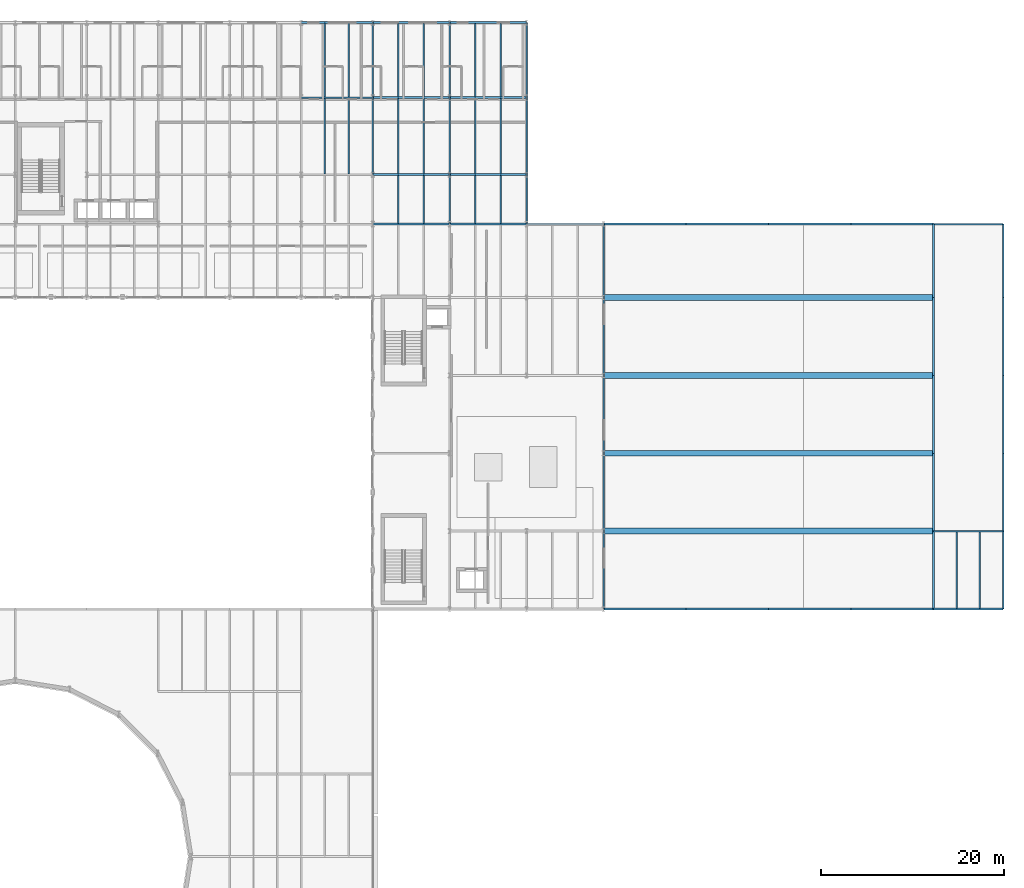
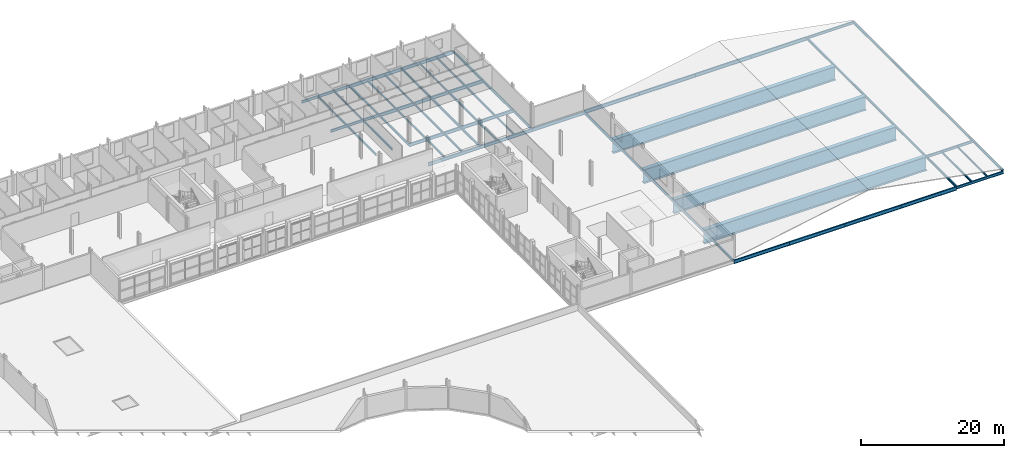
# One storey, part 28 of 58: 67 beams.
"""IFC4 building model written with IfcOpenShell, lengths in metres."""

from ifc_helpers import new_model, si_unit, direction, frame, origin, origin_2d, place, context, subcontext, project, spatial, i_section, extrude, material, material_profile, profile_set, type_object, element, save


model = new_model("IFC4")

# Units and contexts
model_context = context("Model", 3, precision=1e-05, world=origin(), true_north=direction((0.0, 1.0)))
body_context = subcontext(model_context, "Body", "Model", "MODEL_VIEW")
ifc_project = project(units=[si_unit("LENGTHUNIT", "METRE"), si_unit("AREAUNIT", "SQUARE_METRE"), si_unit("VOLUMEUNIT", "CUBIC_METRE"), si_unit("PLANEANGLEUNIT", "RADIAN"), si_unit("MASSUNIT", "GRAM", prefix="KILO")], contexts=[model_context])

# Site, building, storey
site_placement = place(None, origin())
site = spatial("IfcSite", under=ifc_project, at=site_placement, CompositionType="ELEMENT")
building_placement = place(site_placement, origin())
building = spatial("IfcBuilding", under=site, at=building_placement, Name="Sefraquen Railside Congress Hotel", CompositionType="ELEMENT")
storey_placement = place(building_placement, frame((0.0, 0.0, 16.199951171875)))
storey = spatial("IfcBuildingStorey", under=building, at=storey_placement, Name="L03", CompositionType="ELEMENT", Elevation=16.199951171875)

# Beams
ifc_material_1 = material(Name="Steel S355JR", Category="steel")
ifc_material_profile_1 = material_profile(ifc_material_1, i_section(OverallWidth=0.179931640625, OverallDepth=0.39990234375, WebThickness=0.008544921875, FlangeThickness=0.013427734375, FilletRadius=0.02099609375, at=origin_2d()), Name="IPE 400")
ifc_profile_set_1 = profile_set([ifc_material_profile_1], Name="Steel S355JR")
beam_type_1 = type_object("IfcBeamType", Name="TB-BM-400I", PredefinedType="BEAM", material=ifc_profile_set_1)
beam_1_placement = place(storey_placement, frame((103.199951171875, 101.39990234375, -0.47998046875), z_axis=(0.0, 1.0, 0.0), x_axis=(-1.0, 0.0, 0.0)))
element("IfcBeam", 1, at=beam_1_placement, inside=storey, type_object=beam_type_1, Name="Floor beam BM-L03-1229", PredefinedType="BEAM", context=body_context, shape_type="SweptSolid", body=[
    extrude(i_section(OverallWidth=0.179931640625, OverallDepth=0.39990234375, WebThickness=0.008544921875, FlangeThickness=0.013427734375, FilletRadius=0.02099609375, at=origin_2d()), origin(), (0.0, 0.0, 1.0), 8.400146484375),
])
beam_2_placement = place(storey_placement, frame((103.199951171875, 109.800048828125, -0.47998046875), z_axis=(0.0, 1.0, 0.0), x_axis=(-1.0, 0.0, 0.0)))
element("IfcBeam", 2, at=beam_2_placement, inside=storey, type_object=beam_type_1, Name="Floor beam BM-L03-1230", PredefinedType="BEAM", context=body_context, shape_type="SweptSolid", body=[
    extrude(i_section(OverallWidth=0.179931640625, OverallDepth=0.39990234375, WebThickness=0.008544921875, FlangeThickness=0.013427734375, FilletRadius=0.02099609375, at=origin_2d()), origin(), (0.0, 0.0, 1.0), 8.199951171875),
])
beam_3_placement = place(storey_placement, frame((111.60009765625, 96.0, -0.47998046875), z_axis=(0.0, 1.0, 0.0), x_axis=(-1.0, 0.0, 0.0)))
element("IfcBeam", 3, at=beam_3_placement, inside=storey, type_object=beam_type_1, Name="Floor beam BM-L03-1236", PredefinedType="BEAM", context=body_context, shape_type="SweptSolid", body=[
    extrude(i_section(OverallWidth=0.179931640625, OverallDepth=0.39990234375, WebThickness=0.008544921875, FlangeThickness=0.013427734375, FilletRadius=0.02099609375, at=origin_2d()), origin(), (0.0, 0.0, 1.0), 5.39990234375),
])
beam_4_placement = place(storey_placement, frame((111.60009765625, 101.39990234375, -0.47998046875), z_axis=(0.0, 1.0, 0.0), x_axis=(-1.0, 0.0, 0.0)))
element("IfcBeam", 4, at=beam_4_placement, inside=storey, type_object=beam_type_1, Name="Floor beam BM-L03-1237", PredefinedType="BEAM", context=body_context, shape_type="SweptSolid", body=[
    extrude(i_section(OverallWidth=0.179931640625, OverallDepth=0.39990234375, WebThickness=0.008544921875, FlangeThickness=0.013427734375, FilletRadius=0.02099609375, at=origin_2d()), origin(), (0.0, 0.0, 1.0), 8.400146484375),
])
beam_5_placement = place(storey_placement, frame((111.60009765625, 109.800048828125, -0.47998046875), z_axis=(0.0, 1.0, 0.0), x_axis=(-1.0, 0.0, 0.0)))
element("IfcBeam", 5, at=beam_5_placement, inside=storey, type_object=beam_type_1, Name="Floor beam BM-L03-1238", PredefinedType="BEAM", context=body_context, shape_type="SweptSolid", body=[
    extrude(i_section(OverallWidth=0.179931640625, OverallDepth=0.39990234375, WebThickness=0.008544921875, FlangeThickness=0.013427734375, FilletRadius=0.02099609375, at=origin_2d()), origin(), (0.0, 0.0, 1.0), 8.199951171875),
])
beam_6_placement = place(storey_placement, frame((120.0, 96.0, -0.47998046875), z_axis=(0.0, 1.0, 0.0), x_axis=(-1.0, 0.0, 0.0)))
element("IfcBeam", 6, at=beam_6_placement, inside=storey, type_object=beam_type_1, Name="Floor beam BM-L03-1242", PredefinedType="BEAM", context=body_context, shape_type="SweptSolid", body=[
    extrude(i_section(OverallWidth=0.179931640625, OverallDepth=0.39990234375, WebThickness=0.008544921875, FlangeThickness=0.013427734375, FilletRadius=0.02099609375, at=origin_2d()), origin(), (0.0, 0.0, 1.0), 5.39990234375),
])
beam_7_placement = place(storey_placement, frame((120.0, 101.39990234375, -0.47998046875), z_axis=(0.0, 1.0, 0.0), x_axis=(-1.0, 0.0, 0.0)))
element("IfcBeam", 7, at=beam_7_placement, inside=storey, type_object=beam_type_1, Name="Floor beam BM-L03-1243", PredefinedType="BEAM", context=body_context, shape_type="SweptSolid", body=[
    extrude(i_section(OverallWidth=0.179931640625, OverallDepth=0.39990234375, WebThickness=0.008544921875, FlangeThickness=0.013427734375, FilletRadius=0.02099609375, at=origin_2d()), origin(), (0.0, 0.0, 1.0), 8.400146484375),
])
beam_8_placement = place(storey_placement, frame((120.0, 109.800048828125, -0.47998046875), z_axis=(0.0, 1.0, 0.0), x_axis=(-1.0, 0.0, 0.0)))
element("IfcBeam", 8, at=beam_8_placement, inside=storey, type_object=beam_type_1, Name="Floor beam BM-L03-1244", PredefinedType="BEAM", context=body_context, shape_type="SweptSolid", body=[
    extrude(i_section(OverallWidth=0.179931640625, OverallDepth=0.39990234375, WebThickness=0.008544921875, FlangeThickness=0.013427734375, FilletRadius=0.02099609375, at=origin_2d()), origin(), (0.0, 0.0, 1.0), 8.199951171875),
])
for number, where, z_axis, x_axis, name in (
    (9, (128.39990234375, 54.0, -0.47998046875), (0.0, 1.0, 0.0), (-1.0, 0.0, 0.0), "Floor beam BM-L03-1245"),
    (10, (128.39990234375, 62.5, -0.47998046875), (0.0, 1.0, 0.0), (-1.0, 0.0, 0.0), "Floor beam BM-L03-1246"),
    (11, (128.39990234375, 71.0, -0.47998046875), (0.0, 1.0, 0.0), (-1.0, 0.0, 0.0), "Floor beam BM-L03-1247"),
    (12, (128.39990234375, 79.5, -0.47998046875), (0.0, 1.0, 0.0), (-1.0, 0.0, 0.0), "Floor beam BM-L03-1248"),
):
    element("IfcBeam", number, at=place(storey_placement, frame(where, z_axis=z_axis, x_axis=x_axis)), inside=storey, type_object=beam_type_1, Name=name, PredefinedType="BEAM", context=body_context, shape_type="SweptSolid", body=[
        extrude(i_section(OverallWidth=0.179931640625, OverallDepth=0.39990234375, WebThickness=0.008544921875, FlangeThickness=0.013427734375, FilletRadius=0.02099609375, at=origin_2d()), origin(), (0.0, 0.0, 1.0), 8.5),
    ])
beam_9_placement = place(storey_placement, frame((128.39990234375, 88.0, -0.47998046875), z_axis=(0.0, 1.0, 0.0), x_axis=(-1.0, 0.0, 0.0)))
element("IfcBeam", 13, at=beam_9_placement, inside=storey, type_object=beam_type_1, Name="Floor beam BM-L03-1249", PredefinedType="BEAM", context=body_context, shape_type="SweptSolid", body=[
    extrude(i_section(OverallWidth=0.179931640625, OverallDepth=0.39990234375, WebThickness=0.008544921875, FlangeThickness=0.013427734375, FilletRadius=0.02099609375, at=origin_2d()), origin(), (0.0, 0.0, 1.0), 8.0),
])
for number, where, z_axis, x_axis, name in (
    (14, (164.39990234375, 54.0, -0.33984375), (0.0, 1.0, 0.0), (-1.0, 0.0, 0.0), "Floor beam BM-L03-1250"),
    (15, (164.39990234375, 62.5, -0.33984375), (0.0, 1.0, 0.0), (-1.0, 0.0, 0.0), "Floor beam BM-L03-1251"),
    (16, (164.39990234375, 71.0, -0.33984375), (0.0, 1.0, 0.0), (-1.0, 0.0, 0.0), "Floor beam BM-L03-1252"),
    (17, (164.39990234375, 79.5, -0.33984375), (0.0, 1.0, 0.0), (-1.0, 0.0, 0.0), "Floor beam BM-L03-1253"),
):
    element("IfcBeam", number, at=place(storey_placement, frame(where, z_axis=z_axis, x_axis=x_axis)), inside=storey, type_object=beam_type_1, Name=name, PredefinedType="BEAM", context=body_context, shape_type="SweptSolid", body=[
        extrude(i_section(OverallWidth=0.179931640625, OverallDepth=0.39990234375, WebThickness=0.008544921875, FlangeThickness=0.013427734375, FilletRadius=0.02099609375, at=origin_2d()), origin(), (0.0, 0.0, 1.0), 8.5),
    ])
beam_10_placement = place(storey_placement, frame((164.39990234375, 88.0, -0.33984375), z_axis=(0.0, 1.0, 0.0), x_axis=(-1.0, 0.0, 0.0)))
element("IfcBeam", 18, at=beam_10_placement, inside=storey, type_object=beam_type_1, Name="Floor beam BM-L03-1254", PredefinedType="BEAM", context=body_context, shape_type="SweptSolid", body=[
    extrude(i_section(OverallWidth=0.179931640625, OverallDepth=0.39990234375, WebThickness=0.008544921875, FlangeThickness=0.013427734375, FilletRadius=0.02099609375, at=origin_2d()), origin(), (0.0, 0.0, 1.0), 8.0),
])
for number, where, z_axis, x_axis, name in (
    (19, (172.0, 54.0, -0.33984375), (0.0, 1.0, 0.0), (-1.0, 0.0, 0.0), "Floor beam BM-L03-1255"),
    (20, (172.0, 62.5, -0.33984375), (0.0, 1.0, 0.0), (-1.0, 0.0, 0.0), "Floor beam BM-L03-1256"),
    (21, (172.0, 71.0, -0.33984375), (0.0, 1.0, 0.0), (-1.0, 0.0, 0.0), "Floor beam BM-L03-1257"),
    (22, (172.0, 79.5, -0.33984375), (0.0, 1.0, 0.0), (-1.0, 0.0, 0.0), "Floor beam BM-L03-1258"),
):
    element("IfcBeam", number, at=place(storey_placement, frame(where, z_axis=z_axis, x_axis=x_axis)), inside=storey, type_object=beam_type_1, Name=name, PredefinedType="BEAM", context=body_context, shape_type="SweptSolid", body=[
        extrude(i_section(OverallWidth=0.179931640625, OverallDepth=0.39990234375, WebThickness=0.008544921875, FlangeThickness=0.013427734375, FilletRadius=0.02099609375, at=origin_2d()), origin(), (0.0, 0.0, 1.0), 8.5),
    ])
beam_11_placement = place(storey_placement, frame((172.0, 88.0, -0.33984375), z_axis=(0.0, 1.0, 0.0), x_axis=(-1.0, 0.0, 0.0)))
element("IfcBeam", 23, at=beam_11_placement, inside=storey, type_object=beam_type_1, Name="Floor beam BM-L03-1259", PredefinedType="BEAM", context=body_context, shape_type="SweptSolid", body=[
    extrude(i_section(OverallWidth=0.179931640625, OverallDepth=0.39990234375, WebThickness=0.008544921875, FlangeThickness=0.013427734375, FilletRadius=0.02099609375, at=origin_2d()), origin(), (0.0, 0.0, 1.0), 8.0),
])
ifc_material_profile_2 = material_profile(ifc_material_1, i_section(OverallWidth=0.18994140625, OverallDepth=0.449951171875, WebThickness=0.009521484375, FlangeThickness=0.0146484375, FilletRadius=0.02099609375, at=origin_2d()), Name="IPE 450")
ifc_profile_set_2 = profile_set([ifc_material_profile_2], Name="Steel S355JR")
beam_type_2 = type_object("IfcBeamType", Name="TB-BM-450", PredefinedType="BEAM", material=ifc_profile_set_2)
for number, where, z_axis, x_axis, name in (
    (24, (164.39990234375, 54.0, -0.5048828125), (1.0, 0.0, 0.0), (0.0, 1.0, 0.0), "Primary girder BM-L03-1027"),
    (25, (164.39990234375, 62.5, -0.364990234375), (1.0, 0.0, 0.0), (0.0, 1.0, 0.0), "Primary girder BM-L03-1037"),
    (26, (164.39990234375, 96.0, -0.364990234375), (1.0, 0.0, 0.0), (0.0, 1.0, 0.0), "Primary girder BM-L03-1090"),
):
    element("IfcBeam", number, at=place(storey_placement, frame(where, z_axis=z_axis, x_axis=x_axis)), inside=storey, type_object=beam_type_2, Name=name, PredefinedType="BEAM", context=body_context, shape_type="SweptSolid", body=[
        extrude(i_section(OverallWidth=0.18994140625, OverallDepth=0.449951171875, WebThickness=0.009521484375, FlangeThickness=0.0146484375, FilletRadius=0.02099609375, at=origin_2d()), origin(), (0.0, 0.0, 1.0), 7.60009765625),
    ])
for number, where, z_axis, x_axis, name in (
    (27, (95.39990234375, 109.800048828125, -0.5048828125), (1.0, 0.0, 0.0), (0.0, 1.0, 0.0), "Primary girder BM-L03-1114"),
    (28, (95.39990234375, 118.0, -0.5048828125), (1.0, 0.0, 0.0), (0.0, 1.0, 0.0), "Primary girder BM-L03-1126"),
):
    element("IfcBeam", number, at=place(storey_placement, frame(where, z_axis=z_axis, x_axis=x_axis)), inside=storey, type_object=beam_type_2, Name=name, PredefinedType="BEAM", context=body_context, shape_type="SweptSolid", body=[
        extrude(i_section(OverallWidth=0.18994140625, OverallDepth=0.449951171875, WebThickness=0.009521484375, FlangeThickness=0.0146484375, FilletRadius=0.02099609375, at=origin_2d()), origin(), (0.0, 0.0, 1.0), 7.800048828125),
    ])
ifc_material_profile_3 = material_profile(ifc_material_1, i_section(OverallWidth=0.2099609375, OverallDepth=0.550048828125, WebThickness=0.010986328125, FlangeThickness=0.01708984375, FilletRadius=0.02392578125, at=origin_2d()), Name="IPE 550")
ifc_profile_set_3 = profile_set([ifc_material_profile_3], Name="Steel S355JR")
beam_type_3 = type_object("IfcBeamType", Name="TB-GIR-550", PredefinedType="T_BEAM", material=ifc_profile_set_3)
beam_12_placement = place(storey_placement, frame((103.199951171875, 96.0, -0.554931640625), z_axis=(1.0, 0.0, 0.0), x_axis=(0.0, 1.0, 0.0)))
element("IfcBeam", 29, at=beam_12_placement, inside=storey, type_object=beam_type_3, Name="Primary girder BM-L03-1083", PredefinedType="T_BEAM", context=body_context, shape_type="SweptSolid", body=[
    extrude(i_section(OverallWidth=0.2099609375, OverallDepth=0.550048828125, WebThickness=0.010986328125, FlangeThickness=0.01708984375, FilletRadius=0.02392578125, at=origin_2d()), origin(), (0.0, 0.0, 1.0), 8.400146484375),
])
for number, where, z_axis, x_axis, name in (
    (30, (111.60009765625, 96.0, -0.554931640625), (1.0, 0.0, 0.0), (0.0, 1.0, 0.0), "Primary girder BM-L03-1084"),
    (31, (120.0, 96.0, -0.554931640625), (1.0, 0.0, 0.0), (0.0, 1.0, 0.0), "Primary girder BM-L03-1085"),
):
    element("IfcBeam", number, at=place(storey_placement, frame(where, z_axis=z_axis, x_axis=x_axis)), inside=storey, type_object=beam_type_3, Name=name, PredefinedType="T_BEAM", context=body_context, shape_type="SweptSolid", body=[
        extrude(i_section(OverallWidth=0.2099609375, OverallDepth=0.550048828125, WebThickness=0.010986328125, FlangeThickness=0.01708984375, FilletRadius=0.02392578125, at=origin_2d()), origin(), (0.0, 0.0, 1.0), 8.39990234375),
    ])
beam_13_placement = place(storey_placement, frame((103.199951171875, 101.39990234375, -0.554931640625), z_axis=(1.0, 0.0, 0.0), x_axis=(0.0, 1.0, 0.0)))
element("IfcBeam", 32, at=beam_13_placement, inside=storey, type_object=beam_type_3, Name="Primary girder BM-L03-1101", PredefinedType="T_BEAM", context=body_context, shape_type="SweptSolid", body=[
    extrude(i_section(OverallWidth=0.2099609375, OverallDepth=0.550048828125, WebThickness=0.010986328125, FlangeThickness=0.01708984375, FilletRadius=0.02392578125, at=origin_2d()), origin(), (0.0, 0.0, 1.0), 8.400146484375),
])
beam_14_placement = place(storey_placement, frame((111.60009765625, 101.39990234375, -0.554931640625), z_axis=(1.0, 0.0, 0.0), x_axis=(0.0, 1.0, 0.0)))
element("IfcBeam", 33, at=beam_14_placement, inside=storey, type_object=beam_type_3, Name="Primary girder BM-L03-1102", PredefinedType="T_BEAM", context=body_context, shape_type="SweptSolid", body=[
    extrude(i_section(OverallWidth=0.2099609375, OverallDepth=0.550048828125, WebThickness=0.010986328125, FlangeThickness=0.01708984375, FilletRadius=0.02392578125, at=origin_2d()), origin(), (0.0, 0.0, 1.0), 8.39990234375),
])
beam_15_placement = place(storey_placement, frame((103.199951171875, 109.800048828125, -0.554931640625), z_axis=(1.0, 0.0, 0.0), x_axis=(0.0, 1.0, 0.0)))
element("IfcBeam", 34, at=beam_15_placement, inside=storey, type_object=beam_type_3, Name="Primary girder BM-L03-1115", PredefinedType="T_BEAM", context=body_context, shape_type="SweptSolid", body=[
    extrude(i_section(OverallWidth=0.2099609375, OverallDepth=0.550048828125, WebThickness=0.010986328125, FlangeThickness=0.01708984375, FilletRadius=0.02392578125, at=origin_2d()), origin(), (0.0, 0.0, 1.0), 8.400146484375),
])
beam_16_placement = place(storey_placement, frame((111.60009765625, 109.800048828125, -0.554931640625), z_axis=(1.0, 0.0, 0.0), x_axis=(0.0, 1.0, 0.0)))
element("IfcBeam", 35, at=beam_16_placement, inside=storey, type_object=beam_type_3, Name="Primary girder BM-L03-1116", PredefinedType="T_BEAM", context=body_context, shape_type="SweptSolid", body=[
    extrude(i_section(OverallWidth=0.2099609375, OverallDepth=0.550048828125, WebThickness=0.010986328125, FlangeThickness=0.01708984375, FilletRadius=0.02392578125, at=origin_2d()), origin(), (0.0, 0.0, 1.0), 8.39990234375),
])
beam_17_placement = place(storey_placement, frame((103.199951171875, 118.0, -0.554931640625), z_axis=(1.0, 0.0, 0.0), x_axis=(0.0, 1.0, 0.0)))
element("IfcBeam", 36, at=beam_17_placement, inside=storey, type_object=beam_type_3, Name="Primary girder BM-L03-1127", PredefinedType="T_BEAM", context=body_context, shape_type="SweptSolid", body=[
    extrude(i_section(OverallWidth=0.2099609375, OverallDepth=0.550048828125, WebThickness=0.010986328125, FlangeThickness=0.01708984375, FilletRadius=0.02392578125, at=origin_2d()), origin(), (0.0, 0.0, 1.0), 8.400146484375),
])
beam_18_placement = place(storey_placement, frame((111.60009765625, 118.0, -0.554931640625), z_axis=(1.0, 0.0, 0.0), x_axis=(0.0, 1.0, 0.0)))
element("IfcBeam", 37, at=beam_18_placement, inside=storey, type_object=beam_type_3, Name="Primary girder BM-L03-1128", PredefinedType="T_BEAM", context=body_context, shape_type="SweptSolid", body=[
    extrude(i_section(OverallWidth=0.2099609375, OverallDepth=0.550048828125, WebThickness=0.010986328125, FlangeThickness=0.01708984375, FilletRadius=0.02392578125, at=origin_2d()), origin(), (0.0, 0.0, 1.0), 8.39990234375),
])
ifc_material_profile_4 = material_profile(ifc_material_1, i_section(OverallWidth=0.219970703125, OverallDepth=0.60009765625, WebThickness=0.011962890625, FlangeThickness=0.01904296875, FilletRadius=0.02392578125, at=origin_2d()), Name="IPE 600")
ifc_profile_set_4 = profile_set([ifc_material_profile_4], Name="Steel S355JR")
beam_type_4 = type_object("IfcBeamType", Name="TB-GIR-600", PredefinedType="T_BEAM", material=ifc_profile_set_4)
for number, where, z_axis, x_axis, name in (
    (38, (128.39990234375, 54.0, -0.579833984375), (1.0, 0.0, 0.0), (0.0, 1.0, 0.0), "Primary girder BM-L03-1023"),
    (39, (137.39990234375, 54.0, -0.579833984375), (1.0, 0.0, 0.0), (0.0, 1.0, 0.0), "Primary girder BM-L03-1024"),
    (40, (146.39990234375, 54.0, -0.579833984375), (1.0, 0.0, 0.0), (0.0, 1.0, 0.0), "Primary girder BM-L03-1025"),
    (41, (155.39990234375, 54.0, -0.579833984375), (1.0, 0.0, 0.0), (0.0, 1.0, 0.0), "Primary girder BM-L03-1026"),
    (42, (128.39990234375, 96.0, -0.43994140625), (1.0, 0.0, 0.0), (0.0, 1.0, 0.0), "Primary girder BM-L03-1086"),
    (43, (137.39990234375, 96.0, -0.43994140625), (1.0, 0.0, 0.0), (0.0, 1.0, 0.0), "Primary girder BM-L03-1087"),
    (44, (146.39990234375, 96.0, -0.43994140625), (1.0, 0.0, 0.0), (0.0, 1.0, 0.0), "Primary girder BM-L03-1088"),
    (45, (155.39990234375, 96.0, -0.43994140625), (1.0, 0.0, 0.0), (0.0, 1.0, 0.0), "Primary girder BM-L03-1089"),
):
    element("IfcBeam", number, at=place(storey_placement, frame(where, z_axis=z_axis, x_axis=x_axis)), inside=storey, type_object=beam_type_4, Name=name, PredefinedType="T_BEAM", context=body_context, shape_type="SweptSolid", body=[
        extrude(i_section(OverallWidth=0.219970703125, OverallDepth=0.60009765625, WebThickness=0.011962890625, FlangeThickness=0.01904296875, FilletRadius=0.02392578125, at=origin_2d()), origin(), (0.0, 0.0, 1.0), 9.0),
    ])
ifc_material_profile_5 = material_profile(ifc_material_1, i_section(OverallWidth=0.159912109375, OverallDepth=0.330078125, WebThickness=0.007568359375, FlangeThickness=0.011474609375, FilletRadius=0.01806640625, at=origin_2d()), Name="IPE 330")
ifc_profile_set_5 = profile_set([ifc_material_profile_5], Name="Steel S355JR")
beam_type_5 = type_object("IfcBeamType", Name="TB-JST-330", PredefinedType="JOIST", material=ifc_profile_set_5)
for number, where, z_axis, x_axis, name in (
    (46, (98.0, 101.47509765625, -0.445068359375), (0.0, 1.0, 0.0), (-1.0, 0.0, 0.0), "Composite floor joist BM-L03-J0790"),
    (47, (100.60009765625, 101.47509765625, -0.445068359375), (0.0, 1.0, 0.0), (-1.0, 0.0, 0.0), "Composite floor joist BM-L03-J0791"),
):
    element("IfcBeam", number, at=place(storey_placement, frame(where, z_axis=z_axis, x_axis=x_axis)), inside=storey, type_object=beam_type_5, Name=name, PredefinedType="JOIST", context=body_context, shape_type="SweptSolid", body=[
        extrude(i_section(OverallWidth=0.159912109375, OverallDepth=0.330078125, WebThickness=0.007568359375, FlangeThickness=0.011474609375, FilletRadius=0.01806640625, at=origin_2d()), origin(), (0.0, 0.0, 1.0), 8.25),
    ])
for number, where, z_axis, x_axis, name in (
    (48, (98.0, 109.875, -0.445068359375), (0.0, 1.0, 0.0), (-1.0, 0.0, 0.0), "Composite floor joist BM-L03-J0792"),
    (49, (100.60009765625, 109.875, -0.445068359375), (0.0, 1.0, 0.0), (-1.0, 0.0, 0.0), "Composite floor joist BM-L03-J0793"),
):
    element("IfcBeam", number, at=place(storey_placement, frame(where, z_axis=z_axis, x_axis=x_axis)), inside=storey, type_object=beam_type_5, Name=name, PredefinedType="JOIST", context=body_context, shape_type="SweptSolid", body=[
        extrude(i_section(OverallWidth=0.159912109375, OverallDepth=0.330078125, WebThickness=0.007568359375, FlangeThickness=0.011474609375, FilletRadius=0.01806640625, at=origin_2d()), origin(), (0.0, 0.0, 1.0), 8.050048828125),
    ])
for number, where, z_axis, x_axis, name in (
    (50, (106.0, 96.0849609375, -0.445068359375), (0.0, 1.0, 0.0), (-1.0, 0.0, 0.0), "Composite floor joist BM-L03-J0796"),
    (51, (108.800048828125, 96.0849609375, -0.445068359375), (0.0, 1.0, 0.0), (-1.0, 0.0, 0.0), "Composite floor joist BM-L03-J0797"),
):
    element("IfcBeam", number, at=place(storey_placement, frame(where, z_axis=z_axis, x_axis=x_axis)), inside=storey, type_object=beam_type_5, Name=name, PredefinedType="JOIST", context=body_context, shape_type="SweptSolid", body=[
        extrude(i_section(OverallWidth=0.159912109375, OverallDepth=0.330078125, WebThickness=0.007568359375, FlangeThickness=0.011474609375, FilletRadius=0.01806640625, at=origin_2d()), origin(), (0.0, 0.0, 1.0), 5.22998046875),
    ])
for number, where, z_axis, x_axis, name in (
    (52, (106.0, 101.485107421875, -0.445068359375), (0.0, 1.0, 0.0), (-1.0, 0.0, 0.0), "Composite floor joist BM-L03-J0798"),
    (53, (108.800048828125, 101.485107421875, -0.445068359375), (0.0, 1.0, 0.0), (-1.0, 0.0, 0.0), "Composite floor joist BM-L03-J0799"),
):
    element("IfcBeam", number, at=place(storey_placement, frame(where, z_axis=z_axis, x_axis=x_axis)), inside=storey, type_object=beam_type_5, Name=name, PredefinedType="JOIST", context=body_context, shape_type="SweptSolid", body=[
        extrude(i_section(OverallWidth=0.159912109375, OverallDepth=0.330078125, WebThickness=0.007568359375, FlangeThickness=0.011474609375, FilletRadius=0.01806640625, at=origin_2d()), origin(), (0.0, 0.0, 1.0), 8.22998046875),
    ])
for number, where, z_axis, x_axis, name in (
    (54, (106.0, 109.885009765625, -0.445068359375), (0.0, 1.0, 0.0), (-1.0, 0.0, 0.0), "Composite floor joist BM-L03-J0800"),
    (55, (108.800048828125, 109.885009765625, -0.445068359375), (0.0, 1.0, 0.0), (-1.0, 0.0, 0.0), "Composite floor joist BM-L03-J0801"),
):
    element("IfcBeam", number, at=place(storey_placement, frame(where, z_axis=z_axis, x_axis=x_axis)), inside=storey, type_object=beam_type_5, Name=name, PredefinedType="JOIST", context=body_context, shape_type="SweptSolid", body=[
        extrude(i_section(OverallWidth=0.159912109375, OverallDepth=0.330078125, WebThickness=0.007568359375, FlangeThickness=0.011474609375, FilletRadius=0.01806640625, at=origin_2d()), origin(), (0.0, 0.0, 1.0), 8.030029296875),
    ])
for number, where, z_axis, x_axis, name in (
    (56, (114.39990234375, 96.0849609375, -0.445068359375), (0.0, 1.0, 0.0), (-1.0, 0.0, 0.0), "Composite floor joist BM-L03-J0808"),
    (57, (117.199951171875, 96.0849609375, -0.445068359375), (0.0, 1.0, 0.0), (-1.0, 0.0, 0.0), "Composite floor joist BM-L03-J0809"),
):
    element("IfcBeam", number, at=place(storey_placement, frame(where, z_axis=z_axis, x_axis=x_axis)), inside=storey, type_object=beam_type_5, Name=name, PredefinedType="JOIST", context=body_context, shape_type="SweptSolid", body=[
        extrude(i_section(OverallWidth=0.159912109375, OverallDepth=0.330078125, WebThickness=0.007568359375, FlangeThickness=0.011474609375, FilletRadius=0.01806640625, at=origin_2d()), origin(), (0.0, 0.0, 1.0), 5.22998046875),
    ])
for number, where, z_axis, x_axis, name in (
    (58, (114.39990234375, 101.485107421875, -0.445068359375), (0.0, 1.0, 0.0), (-1.0, 0.0, 0.0), "Composite floor joist BM-L03-J0810"),
    (59, (117.199951171875, 101.485107421875, -0.445068359375), (0.0, 1.0, 0.0), (-1.0, 0.0, 0.0), "Composite floor joist BM-L03-J0811"),
):
    element("IfcBeam", number, at=place(storey_placement, frame(where, z_axis=z_axis, x_axis=x_axis)), inside=storey, type_object=beam_type_5, Name=name, PredefinedType="JOIST", context=body_context, shape_type="SweptSolid", body=[
        extrude(i_section(OverallWidth=0.159912109375, OverallDepth=0.330078125, WebThickness=0.007568359375, FlangeThickness=0.011474609375, FilletRadius=0.01806640625, at=origin_2d()), origin(), (0.0, 0.0, 1.0), 8.22998046875),
    ])
for number, where, z_axis, x_axis, name in (
    (60, (114.39990234375, 109.885009765625, -0.445068359375), (0.0, 1.0, 0.0), (-1.0, 0.0, 0.0), "Composite floor joist BM-L03-J0812"),
    (61, (117.199951171875, 109.885009765625, -0.445068359375), (0.0, 1.0, 0.0), (-1.0, 0.0, 0.0), "Composite floor joist BM-L03-J0813"),
):
    element("IfcBeam", number, at=place(storey_placement, frame(where, z_axis=z_axis, x_axis=x_axis)), inside=storey, type_object=beam_type_5, Name=name, PredefinedType="JOIST", context=body_context, shape_type="SweptSolid", body=[
        extrude(i_section(OverallWidth=0.159912109375, OverallDepth=0.330078125, WebThickness=0.007568359375, FlangeThickness=0.011474609375, FilletRadius=0.01806640625, at=origin_2d()), origin(), (0.0, 0.0, 1.0), 8.030029296875),
    ])
for number, where, z_axis, x_axis, name in (
    (62, (166.933349609375, 54.074951171875, -0.445068359375), (0.0, 1.0, 0.0), (-1.0, 0.0, 0.0), "Composite floor joist BM-L03-J0820"),
    (63, (169.466796875, 54.074951171875, -0.445068359375), (0.0, 1.0, 0.0), (-1.0, 0.0, 0.0), "Composite floor joist BM-L03-J0821"),
):
    element("IfcBeam", number, at=place(storey_placement, frame(where, z_axis=z_axis, x_axis=x_axis)), inside=storey, type_object=beam_type_5, Name=name, PredefinedType="JOIST", context=body_context, shape_type="SweptSolid", body=[
        extrude(i_section(OverallWidth=0.159912109375, OverallDepth=0.330078125, WebThickness=0.007568359375, FlangeThickness=0.011474609375, FilletRadius=0.01806640625, at=origin_2d()), origin(), (0.0, 0.0, 1.0), 8.35009765625),
    ])
ifc_material_2 = material(Name="Steel S355J2", Category="steel")
ifc_material_profile_6 = material_profile(ifc_material_2, i_section(OverallWidth=0.64990234375, OverallDepth=2.39990234375, WebThickness=0.030029296875, FlangeThickness=0.052001953125, at=origin_2d()), Name="WG 2400x650")
ifc_profile_set_6 = profile_set([ifc_material_profile_6], Name="Steel S355J2")
beam_type_6 = type_object("IfcBeamType", Name="TB-TG-2400", PredefinedType="USERDEFINED", material=ifc_profile_set_6)
for number, where, z_axis, x_axis, name in (
    (64, (128.39990234375, 62.5, -1.33984375), (1.0, 0.0, 0.0), (0.0, 1.0, 0.0), "Transfer girder BM-L03-1036"),
    (65, (128.39990234375, 71.0, -1.33984375), (1.0, 0.0, 0.0), (0.0, 1.0, 0.0), "Transfer girder BM-L03-1045"),
    (66, (128.39990234375, 79.5, -1.33984375), (1.0, 0.0, 0.0), (0.0, 1.0, 0.0), "Transfer girder BM-L03-1054"),
    (67, (128.39990234375, 88.0, -1.33984375), (1.0, 0.0, 0.0), (0.0, 1.0, 0.0), "Transfer girder BM-L03-1070"),
):
    element("IfcBeam", number, at=place(storey_placement, frame(where, z_axis=z_axis, x_axis=x_axis)), inside=storey, type_object=beam_type_6, Name=name, ObjectType="TRANSFER GIRDER", PredefinedType="USERDEFINED", context=body_context, shape_type="SweptSolid", body=[
        extrude(i_section(OverallWidth=0.64990234375, OverallDepth=2.39990234375, WebThickness=0.030029296875, FlangeThickness=0.052001953125, at=origin_2d()), origin(), (0.0, 0.0, 1.0), 36.0),
    ])

save(model, "model.ifc")
